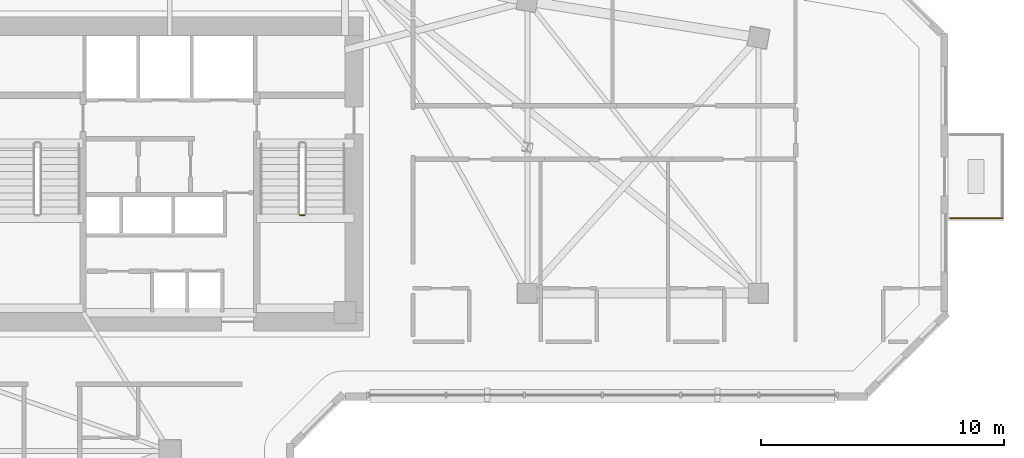
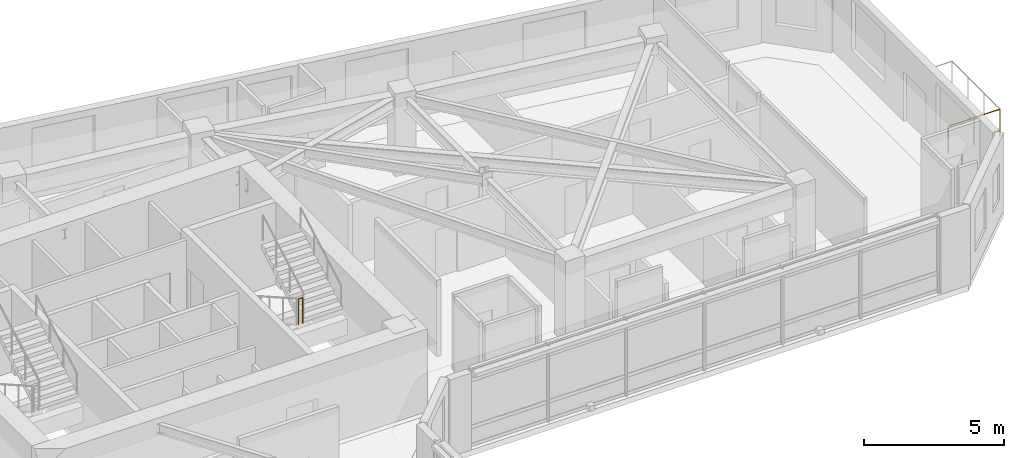
# One storey, part 12 of 14: 2 railings.
"""IFC4 building model written with IfcOpenShell, lengths in metres."""

from ifc_helpers import new_model, si_unit, direction, frame, origin, origin_2d, place, context, subcontext, project, spatial, circle, extrude, material, type_object, element, save


model = new_model("IFC4")

# Units and contexts
model_context = context("Model", 3, precision=1e-05, world=origin(), true_north=direction((0.0, 1.0)))
body_context = subcontext(model_context, "Body", "Model", "MODEL_VIEW")
ifc_project = project(units=[si_unit("LENGTHUNIT", "METRE"), si_unit("AREAUNIT", "SQUARE_METRE"), si_unit("VOLUMEUNIT", "CUBIC_METRE"), si_unit("PLANEANGLEUNIT", "RADIAN"), si_unit("MASSUNIT", "GRAM", prefix="KILO")], contexts=[model_context])

# Site, building, storey
site_placement = place(None, origin())
site = spatial("IfcSite", under=ifc_project, at=site_placement, CompositionType="ELEMENT")
building_placement = place(site_placement, origin())
building = spatial("IfcBuilding", under=site, at=building_placement, Name="Calvemar Wedge Station Tower", CompositionType="ELEMENT")
storey_placement = place(building_placement, frame((0.0, 0.0, 125.0)))
storey = spatial("IfcBuildingStorey", under=building, at=storey_placement, Name="L30", CompositionType="ELEMENT", Elevation=125.0)

# Railings
ifc_material_1 = material(Name="Stainless steel AISI 316L", Category="steel")
railing_type_1 = type_object("IfcRailingType", Name="GRD-TERR-1200", PredefinedType="GUARDRAIL", material=ifc_material_1)
railing_1_placement = place(storey_placement, frame((58.02001953125, 38.072021484375, 0.0)))
element("IfcRailing", 1, at=railing_1_placement, inside=storey, type_object=railing_type_1, Name="Storey L30 Spiral Terrace Guard 4", PredefinedType="GUARDRAIL", context=body_context, shape_type="SweptSolid", body=[
    extrude(circle(Radius=0.02392578125, at=origin_2d()), frame((0.0, 0.0, 1.17578125), z_axis=(-1.0, 0.0, 0.0), x_axis=(0.0, -1.0, 0.0)), (0.0, 0.0, 1.0), 2.14013671875),
    extrude(circle(Radius=0.02099609375, at=origin_2d()), origin(), (0.0, 0.0, 1.0), 1.15185546875),
    extrude(circle(Radius=0.02099609375, at=origin_2d()), frame((-1.070068359375, 0.0, 0.0)), (0.0, 0.0, 1.0), 1.15185546875),
    extrude(circle(Radius=0.02099609375, at=origin_2d()), frame((-2.14013671875, 0.0, 0.0)), (0.0, 0.0, 1.0), 1.15185546875),
])
ifc_material_2 = material(Name="Painted steel guardrail ASTM A500 Grade C", Category="steel")
railing_type_2 = type_object("IfcRailingType", Name="RL-STAIR-GUARD-1150", PredefinedType="GUARDRAIL", material=ifc_material_2)
railing_2_placement = place(storey_placement, frame((29.159912109375, 38.199951171875, 1.800048828125)))
element("IfcRailing", 2, at=railing_2_placement, inside=storey, type_object=railing_type_2, Name="L30 ST-C2 stair guard 2", PredefinedType="GUARDRAIL", context=body_context, shape_type="SweptSolid", body=[
    extrude(circle(Radius=0.02392578125, at=origin_2d()), frame((0.0, 0.0, 1.1259765625), z_axis=(1.0, 0.0, 0.0), x_axis=(0.0, 1.0, 0.0)), (0.0, 0.0, 1.0), 0.18017578125),
    extrude(circle(Radius=0.02099609375, at=origin_2d()), origin(), (0.0, 0.0, 1.0), 1.101806640625),
    extrude(circle(Radius=0.02099609375, at=origin_2d()), frame((0.18017578125, 0.0, 0.0)), (0.0, 0.0, 1.0), 1.101806640625),
])

save(model, "model.ifc")
